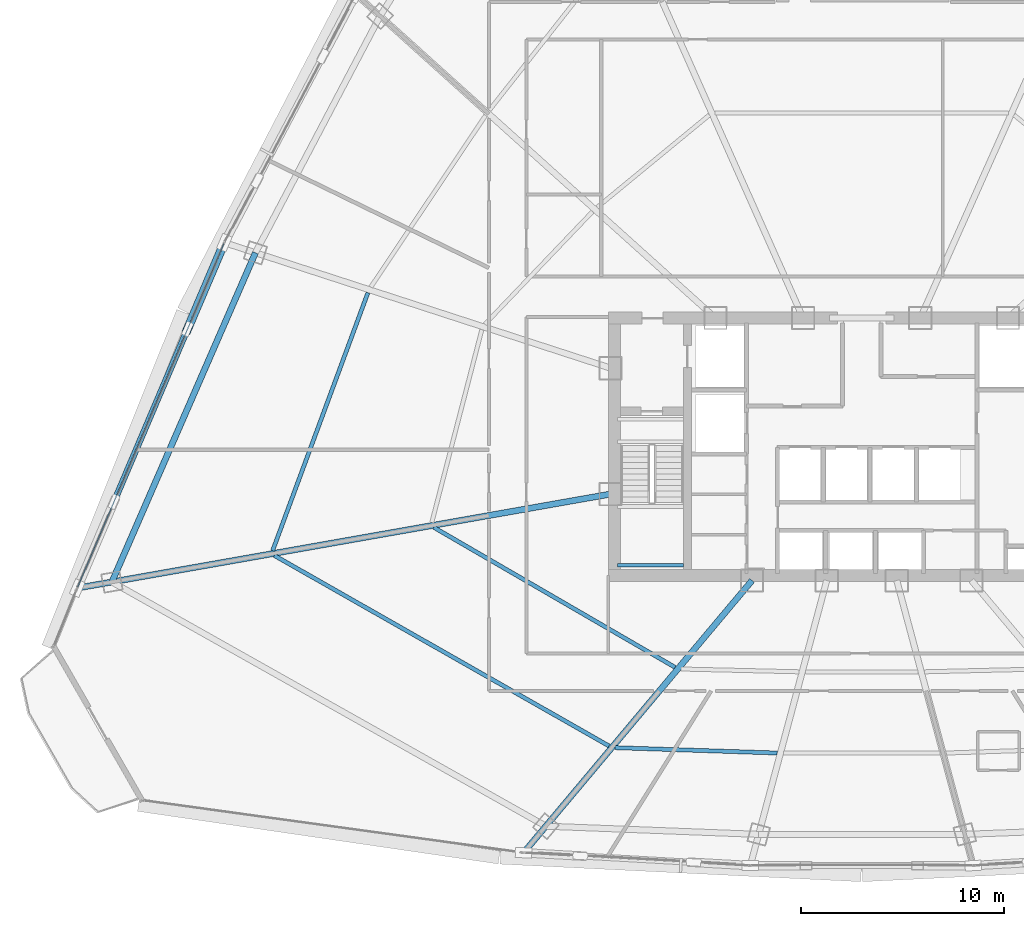
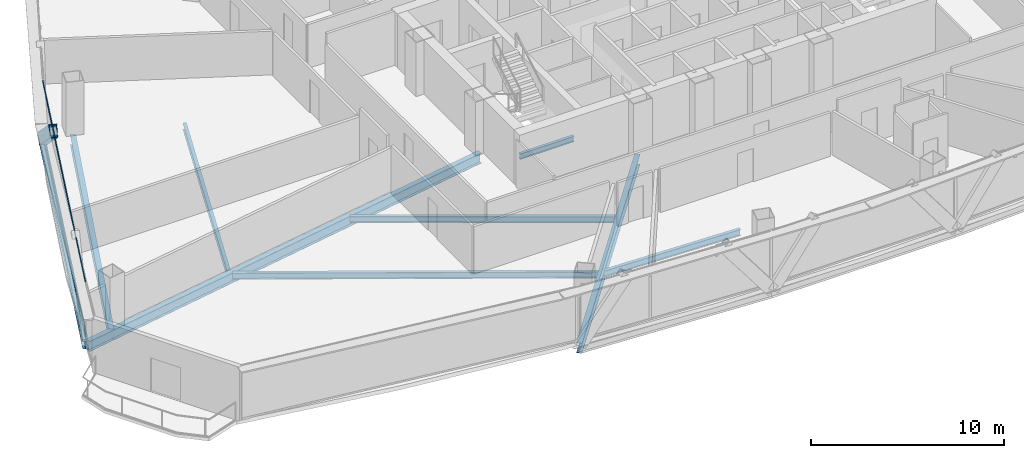
# One storey, part 7 of 39: 9 beams, 3 members, 1 element without a shape of its own.
"""IFC4 building model written with IfcOpenShell, lengths in metres."""

from ifc_helpers import new_model, si_unit, direction, frame, origin, origin_2d, place, context, subcontext, project, spatial, hollow_rectangle, i_section, extrude, source, transform, mapped, material, layer, layer_set, material_profile, profile_set, type_object, element, aggregate, save


model = new_model("IFC4")

# Units and contexts
model_context = context("Model", 3, precision=1e-05, world=origin(), true_north=direction((0.0, 1.0)))
body_context = subcontext(model_context, "Body", "Model", "MODEL_VIEW")
ifc_project = project(units=[si_unit("LENGTHUNIT", "METRE"), si_unit("AREAUNIT", "SQUARE_METRE"), si_unit("VOLUMEUNIT", "CUBIC_METRE"), si_unit("PLANEANGLEUNIT", "RADIAN"), si_unit("MASSUNIT", "GRAM", prefix="KILO"), si_unit("THERMODYNAMICTEMPERATUREUNIT", "KELVIN"), si_unit("POWERUNIT", "WATT")], contexts=[model_context])

# Site, building, storey
site_placement = place(None, origin())
site = spatial("IfcSite", under=ifc_project, at=site_placement, CompositionType="ELEMENT")
building_placement = place(site_placement, origin())
building = spatial("IfcBuilding", under=site, at=building_placement, Name="Yunzhuo Pagoda Commons", CompositionType="ELEMENT")
storey_placement = place(building_placement, frame((0.0, 0.0, 144.550048828125)))
storey = spatial("IfcBuildingStorey", under=building, at=storey_placement, Name="L36", CompositionType="ELEMENT", Elevation=144.550048828125)

# Beams
ifc_material_1 = material(Name="Structural steel Q355B", Category="steel")
ifc_material_profile_1 = material_profile(ifc_material_1, i_section(OverallWidth=0.175048828125, OverallDepth=0.35009765625, WebThickness=0.007080078125, FlangeThickness=0.010986328125, at=origin_2d()), Name="Structural steel Q355B")
ifc_profile_set_1 = profile_set([ifc_material_profile_1], Name="Structural steel Q355B")
beam_type_1 = type_object("IfcBeamType", Name="B-JS2 Joist HN 350x175x7x11", PredefinedType="JOIST", material=ifc_profile_set_1)
shared_shape_1 = source(origin(), body_context, "Body", "SweptSolid", [
    extrude(i_section(OverallWidth=0.175048828125, OverallDepth=0.35009765625, WebThickness=0.007080078125, FlangeThickness=0.010986328125, at=origin_2d()), origin(), (0.0, 0.0, 1.0), 3.25),
])
beam_1_placement = place(storey_placement, frame((35.949951171875, 28.0, 1.46484375), z_axis=(1.0, 0.0, 0.0), x_axis=(0.0, 1.0, 0.0)))
element("IfcBeam", 1, at=beam_1_placement, inside=storey, type_object=beam_type_1, Name="L36 ST1 landing support beam 42A", PredefinedType="JOIST", context=body_context, shape_type="MappedRepresentation", body=[
    mapped(shared_shape_1, transform((0.0, 0.0, 0.0), scale=1.0)),
])
ifc_material_profile_2 = material_profile(ifc_material_1, i_section(OverallWidth=0.199951171875, OverallDepth=0.39990234375, WebThickness=0.008056640625, FlangeThickness=0.012939453125, at=origin_2d()), Name="Structural steel Q355B")
ifc_profile_set_2 = profile_set([ifc_material_profile_2], Name="Structural steel Q355B")
beam_type_2 = type_object("IfcBeamType", Name="B-JS1 Joist HN 400x200x8x13", PredefinedType="JOIST", material=ifc_profile_set_2)
shared_shape_2 = source(origin(), body_context, "Body", "SweptSolid", [
    extrude(i_section(OverallWidth=0.199951171875, OverallDepth=0.39990234375, WebThickness=0.008056640625, FlangeThickness=0.012939453125, at=origin_2d()), origin(), (0.0, 0.0, 1.0), 8.00537109375),
])
beam_2_placement = place(storey_placement, frame((35.8291015625, 19.00048828125, -0.4599609375), z_axis=(0.999453403952, -0.033058937199, 0.0), x_axis=(0.033058937199, 0.999453403952, 0.0)))
element("IfcBeam", 2, at=beam_2_placement, inside=storey, type_object=beam_type_2, Name="L36 composite ring joist 2.1", PredefinedType="JOIST", context=body_context, shape_type="MappedRepresentation", body=[
    mapped(shared_shape_2, transform((0.0, 0.0, 0.0), scale=1.0)),
])
shared_shape_3 = source(origin(), body_context, "Body", "SweptSolid", [
    extrude(i_section(OverallWidth=0.199951171875, OverallDepth=0.39990234375, WebThickness=0.008056640625, FlangeThickness=0.012939453125, at=origin_2d()), origin(), (0.0, 0.0, 1.0), 13.76416015625),
])
beam_3_placement = place(storey_placement, frame((26.882568359375, 29.87255859375, -0.4599609375), z_axis=(0.864967288101, -0.501828248025, 0.0), x_axis=(0.501828248025, 0.864967288101, 0.0)))
element("IfcBeam", 3, at=beam_3_placement, inside=storey, type_object=beam_type_2, Name="L36 composite ring joist 1.12", PredefinedType="JOIST", context=body_context, shape_type="MappedRepresentation", body=[
    mapped(shared_shape_3, transform((0.0, 0.0, 0.0), scale=1.0)),
])
shared_shape_4 = source(origin(), body_context, "Body", "SweptSolid", [
    extrude(i_section(OverallWidth=0.199951171875, OverallDepth=0.39990234375, WebThickness=0.008056640625, FlangeThickness=0.012939453125, at=origin_2d()), origin(), (0.0, 0.0, 1.0), 19.007568359375),
])
beam_4_placement = place(storey_placement, frame((19.01220703125, 28.485595703125, -0.4599609375), z_axis=(0.869119947472, -0.494601371718, 0.0), x_axis=(0.494601371718, 0.869119947472, 0.0)))
element("IfcBeam", 4, at=beam_4_placement, inside=storey, type_object=beam_type_2, Name="L36 composite ring joist 2.12", PredefinedType="JOIST", context=body_context, shape_type="MappedRepresentation", body=[
    mapped(shared_shape_4, transform((0.0, 0.0, 0.0), scale=1.0)),
])
ifc_material_profile_3 = material_profile(ifc_material_1, i_section(OverallWidth=0.300048828125, OverallDepth=0.64990234375, WebThickness=0.012939453125, FlangeThickness=0.02197265625, at=origin_2d()), Name="Structural steel Q355B")
ifc_profile_set_3 = profile_set([ifc_material_profile_3], Name="Structural steel Q355B")
beam_type_3 = type_object("IfcBeamType", Name="B-RG2 Beam HN 650x300x13x22", PredefinedType="BEAM", material=ifc_profile_set_3)
shared_shape_5 = source(origin(), body_context, "Body", "SweptSolid", [
    extrude(i_section(OverallWidth=0.300048828125, OverallDepth=0.64990234375, WebThickness=0.012939453125, FlangeThickness=0.02197265625, at=origin_2d()), origin(), (0.0, 0.0, 1.0), 17.72021484375),
])
beam_5_placement = place(storey_placement, frame((18.084716796875, 43.420166015625, -0.5849609375), z_axis=(-0.399643307961, -0.916670729544, 0.0), x_axis=(0.916670729544, -0.399643307961, 0.0)))
element("IfcBeam", 5, at=beam_5_placement, inside=storey, type_object=beam_type_3, Name="L36 column-ring beam 11", PredefinedType="BEAM", context=body_context, shape_type="MappedRepresentation", body=[
    mapped(shared_shape_5, transform((0.0, 0.0, 0.0), scale=1.0)),
])
shared_shape_6 = source(origin(), body_context, "Body", "SweptSolid", [
    extrude(i_section(OverallWidth=0.199951171875, OverallDepth=0.39990234375, WebThickness=0.008056640625, FlangeThickness=0.012939453125, at=origin_2d()), origin(), (0.0, 0.0, 1.0), 13.577880859375),
])
beam_6_placement = place(storey_placement, frame((23.634765625, 41.44970703125, -0.4599609375), z_axis=(-0.3465634723, -0.938026523968, 0.0), x_axis=(0.938026523968, -0.3465634723, 0.0)))
element("IfcBeam", 6, at=beam_6_placement, inside=storey, type_object=beam_type_2, Name="L36 composite ring joist 2.11", PredefinedType="JOIST", context=body_context, shape_type="MappedRepresentation", body=[
    mapped(shared_shape_6, transform((0.0, 0.0, 0.0), scale=1.0)),
])
shared_shape_7 = source(origin(), body_context, "Body", "SweptSolid", [
    extrude(i_section(OverallWidth=0.300048828125, OverallDepth=0.64990234375, WebThickness=0.012939453125, FlangeThickness=0.02197265625, at=origin_2d()), origin(), (0.0, 0.0, 1.0), 17.38330078125),
])
beam_7_placement = place(storey_placement, frame((31.414306640625, 13.93359375, -0.5849609375), z_axis=(0.642780601859, 0.766050323329, 0.0), x_axis=(-0.766050323329, 0.642780601859, 0.0)))
element("IfcBeam", 7, at=beam_7_placement, inside=storey, type_object=beam_type_3, Name="L36 radial floor girder F1C1", PredefinedType="BEAM", context=body_context, shape_type="MappedRepresentation", body=[
    mapped(shared_shape_7, transform((0.0, 0.0, 0.0), scale=1.0)),
])
shared_shape_8 = source(origin(), body_context, "Body", "SweptSolid", [
    extrude(i_section(OverallWidth=0.300048828125, OverallDepth=0.64990234375, WebThickness=0.012939453125, FlangeThickness=0.02197265625, at=origin_2d()), origin(), (0.0, 0.0, 1.0), 26.559814453125),
])
beam_8_placement = place(storey_placement, frame((9.44384765625, 26.901611328125, -0.5849609375), z_axis=(0.984809273686, 0.173639553277, 0.0), x_axis=(-0.173639553277, 0.984809273686, 0.0)))
element("IfcBeam", 8, at=beam_8_placement, inside=storey, type_object=beam_type_3, Name="L36 radial floor girder F3C4", PredefinedType="BEAM", context=body_context, shape_type="MappedRepresentation", body=[
    mapped(shared_shape_8, transform((0.0, 0.0, 0.0), scale=1.0)),
])
ifc_material_profile_4 = material_profile(ifc_material_1, i_section(OverallWidth=0.300048828125, OverallDepth=0.488037109375, WebThickness=0.010986328125, FlangeThickness=0.01806640625, at=origin_2d()), Name="Structural steel Q355B")
ifc_profile_set_4 = profile_set([ifc_material_profile_4], Name="Structural steel Q355B")
beam_type_4 = type_object("IfcBeamType", Name="B-SP1 Beam HM 488x300x11x18", PredefinedType="BEAM", material=ifc_profile_set_4)
shared_shape_9 = source(origin(), body_context, "Body", "SweptSolid", [
    extrude(i_section(OverallWidth=0.300048828125, OverallDepth=0.488037109375, WebThickness=0.010986328125, FlangeThickness=0.01806640625, at=origin_2d()), origin(), (0.0, 0.0, 1.0), 18.525634765625),
])
beam_9_placement = place(storey_placement, frame((16.54833984375, 43.91943359375, -0.504150390625), z_axis=(-0.391745555192, -0.920073594876, 0.0), x_axis=(0.920073594876, -0.391745555192, 0.0)))
element("IfcBeam", 9, at=beam_9_placement, inside=storey, type_object=beam_type_4, Name="L36 facade edge spandrel beam F3.3", PredefinedType="BEAM", context=body_context, shape_type="MappedRepresentation", body=[
    mapped(shared_shape_9, transform((0.0, 0.0, 0.0), scale=1.0)),
])

# Member
ifc_material_2 = material(Name="Structural steel Q420B", Category="steel")
ifc_material_profile_5 = material_profile(ifc_material_2, hollow_rectangle(XDim=0.419921875, YDim=0.719970703125, WallThickness=0.028076171875, at=origin_2d()), Name="Structural steel Q420B")
ifc_profile_set_5 = profile_set([ifc_material_profile_5], Name="Structural steel Q420B")
member_type_1 = type_object("IfcMemberType", Name="M-DL1 Brace BOX 720x420x28", PredefinedType="BRACE", material=ifc_profile_set_5)
shared_shape_10 = source(origin(), body_context, "Body", "SweptSolid", [
    extrude(hollow_rectangle(XDim=0.419921875, YDim=0.719970703125, WallThickness=0.028076171875, at=origin_2d()), origin(), (0.0, 0.0, 1.0), 5.91552734375),
])
member_1_placement = place(storey_placement, frame((16.54833984375, 43.91943359375, -0.260009765625), z_axis=(-0.306732639421, -0.720359457542, 0.622091102528), x_axis=(0.920064094689, -0.391767867064, 0.0)))
element("IfcMember", 10, at=member_1_placement, inside=storey, type_object=member_type_1, Name="L36 facade diamond brace F3.3L", PredefinedType="BRACE", context=body_context, shape_type="MappedRepresentation", body=[
    mapped(shared_shape_10, transform((0.0, 0.0, 0.0), scale=1.0)),
])

# Curtain wall, members
ifc_material_3 = material(Name="Anodized aluminium 6063-T6", Category="aluminium")
ifc_layer = layer(ifc_material_3, 0.14990234375)
ifc_layer_set = layer_set([ifc_layer], Name="Anodized aluminium 6063-T6")
curtain_wall_type = type_object("IfcCurtainWallType", Name="CW-MID Mid-Zone Ribbon Curtain Wall", PredefinedType="NOTDEFINED", material=ifc_layer_set)
curtain_wall_placement = place(storey_placement, origin())
curtain_wall = element("IfcCurtainWall", 11, at=curtain_wall_placement, inside=storey, type_object=curtain_wall_type, Name="L36 curtain wall CW-L36-F3B4", PredefinedType="NOTDEFINED")
ifc_material_profile_6 = material_profile(ifc_material_3, hollow_rectangle(XDim=0.054931640625, YDim=0.1298828125, WallThickness=0.00341796875, at=origin_2d()), Name="Anodized aluminium 6063-T6")
ifc_profile_set_6 = profile_set([ifc_material_profile_6], Name="Anodized aluminium 6063-T6")
member_type_2 = type_object("IfcMemberType", Name="CW-MID-T Transom RHS 130x55x3.5", PredefinedType="USERDEFINED", material=ifc_profile_set_6)
shared_shape_11 = source(origin(), body_context, "Body", "SweptSolid", [
    extrude(hollow_rectangle(XDim=0.054931640625, YDim=0.1298828125, WallThickness=0.00341796875, at=origin_2d()), origin(), (0.0, 0.0, 1.0), 18.4052734375),
])
member_2_placement = place(storey_placement, frame((16.52490234375, 43.864013671875, 0.02734375), z_axis=(-0.391760180447, -0.920067367651, 0.0), x_axis=(0.920067367651, -0.391760180447, 0.0)))
member_2 = element("IfcMember", 12, at=member_2_placement, type_object=member_type_2, Name="CW transom 1.1", ObjectType="TRANSOM", PredefinedType="USERDEFINED", context=body_context, shape_type="MappedRepresentation", body=[
    mapped(shared_shape_11, transform((0.0, 0.0, 0.0), scale=1.0)),
])
member_3_placement = place(storey_placement, frame((16.52490234375, 43.864013671875, 3.392333984375), z_axis=(-0.391760180447, -0.920067367651, 0.0), x_axis=(0.920067367651, -0.391760180447, 0.0)))
member_3 = element("IfcMember", 13, at=member_3_placement, type_object=member_type_2, Name="CW transom 1.2", ObjectType="TRANSOM", PredefinedType="USERDEFINED", context=body_context, shape_type="MappedRepresentation", body=[
    mapped(shared_shape_11, transform((0.0, 0.0, 0.0), scale=1.0)),
])
aggregate(curtain_wall, [member_2, member_3])

save(model, "model.ifc")
